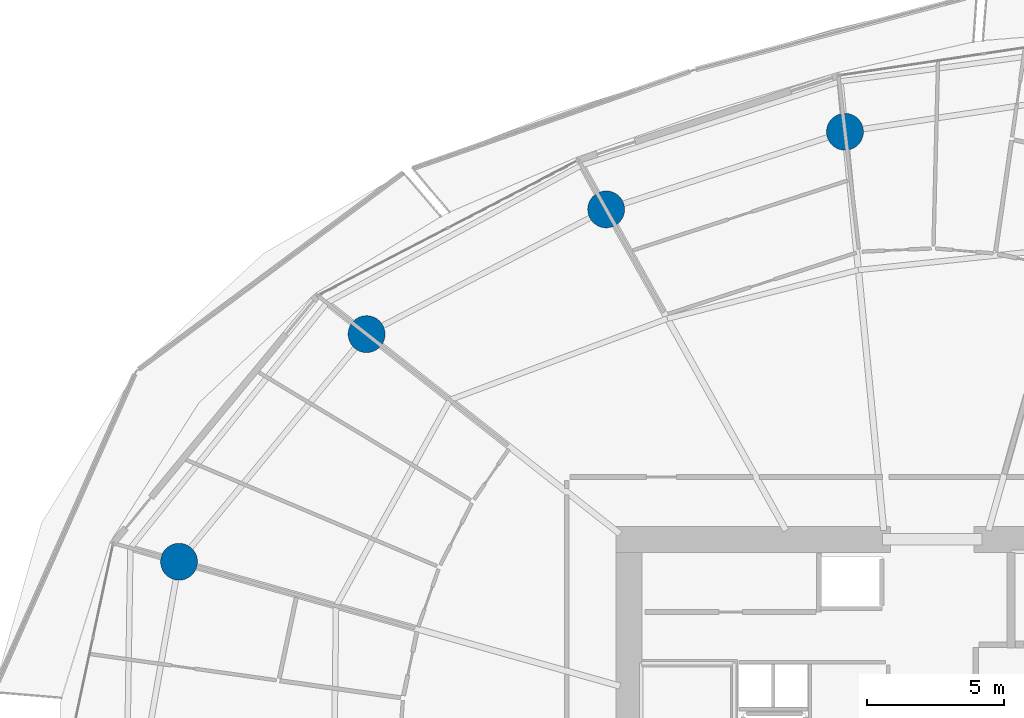
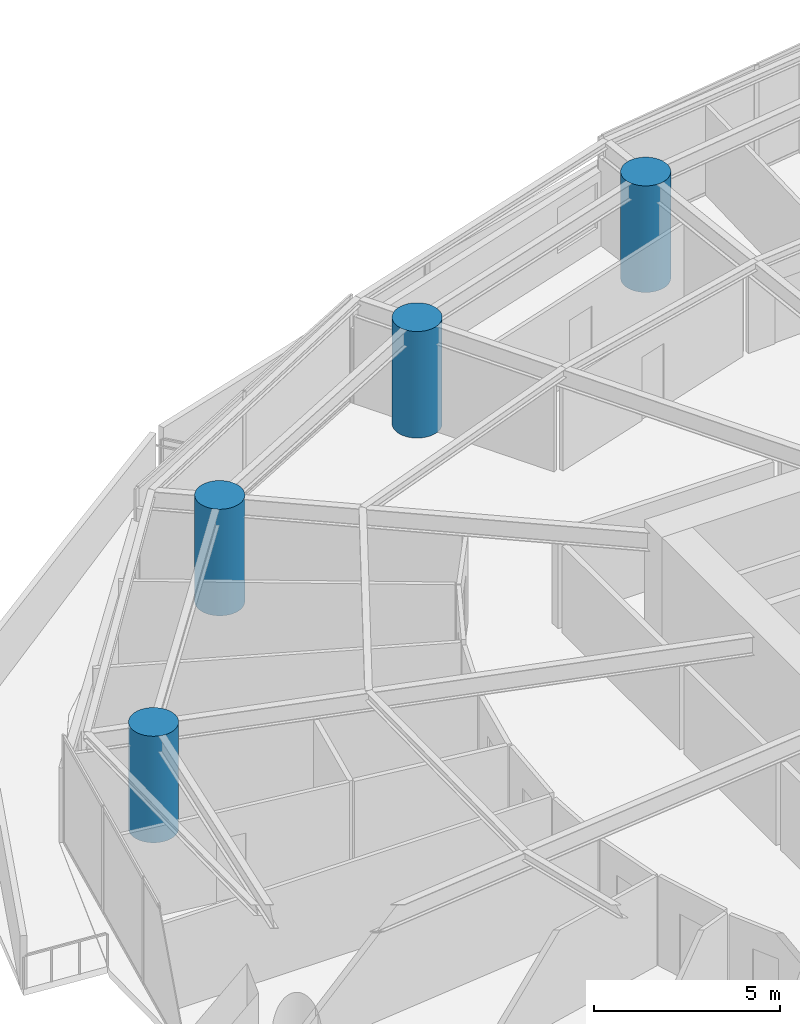
# One storey, part 4 of 31: 4 columns.
"""IFC4 building model written with IfcOpenShell, lengths in metres."""

from ifc_helpers import new_model, si_unit, direction, frame, origin, origin_2d, place, context, subcontext, project, spatial, circle, extrude, material, material_profile, profile_set, type_object, element, save


model = new_model("IFC4")

# Units and contexts
model_context = context("Model", 3, precision=1e-05, world=origin(), true_north=direction((0.0, 1.0)))
body_context = subcontext(model_context, "Body", "Model", "MODEL_VIEW")
ifc_project = project(units=[si_unit("LENGTHUNIT", "METRE"), si_unit("AREAUNIT", "SQUARE_METRE"), si_unit("VOLUMEUNIT", "CUBIC_METRE"), si_unit("PLANEANGLEUNIT", "RADIAN"), si_unit("MASSUNIT", "GRAM", prefix="KILO")], contexts=[model_context])

# Site, building, storey
site_placement = place(None, origin())
site = spatial("IfcSite", under=ifc_project, at=site_placement, CompositionType="ELEMENT")
building_placement = place(site_placement, origin())
building = spatial("IfcBuilding", under=site, at=building_placement, Name="Kazma Halo Residences", CompositionType="ELEMENT")
storey_placement = place(building_placement, frame((0.0, 0.0, 45.14990234375)))
storey = spatial("IfcBuildingStorey", under=building, at=storey_placement, Name="L10", CompositionType="ELEMENT", Elevation=45.14990234375)

# Columns
ifc_material = material(Name="Concrete C80/95", Category="concrete")
ifc_material_profile = material_profile(ifc_material, circle(Radius=0.675048828125, at=origin_2d()), Name="CIRC1350")
ifc_profile_set = profile_set([ifc_material_profile], Name="Concrete C80/95")
column_type = type_object("IfcColumnType", Name="COL-PERIM-1350", PredefinedType="COLUMN", material=ifc_profile_set)
for number, where, z_axis, x_axis, name in (
    (1, (45.231689453125, 65.389404296875, 0.0), (0.0, 0.0, 1.0), (1.0, 0.0, 0.0), "L10 perimeter ring column P04"),
    (2, (36.49169921875, 62.549560546875, 0.0), (0.0, 0.0, 1.0), (1.0, 0.0, 0.0), "L10 perimeter ring column P05"),
    (3, (27.72412109375, 57.984130859375, 0.0), (0.0, 0.0, 1.0), (1.0, 0.0, 0.0), "L10 perimeter ring column P06"),
    (4, (20.859130859375, 49.654541015625, 0.0), (0.0, 0.0, 1.0), (1.0, 0.0, 0.0), "L10 perimeter ring column P07"),
):
    element("IfcColumn", number, at=place(storey_placement, frame(where, z_axis=z_axis, x_axis=x_axis)), inside=storey, type_object=column_type, Name=name, PredefinedType="COLUMN", context=body_context, shape_type="SweptSolid", body=[
        extrude(circle(Radius=0.675048828125, at=origin_2d()), origin(), (0.0, 0.0, 1.0), 3.5),
    ])

save(model, "model.ifc")
